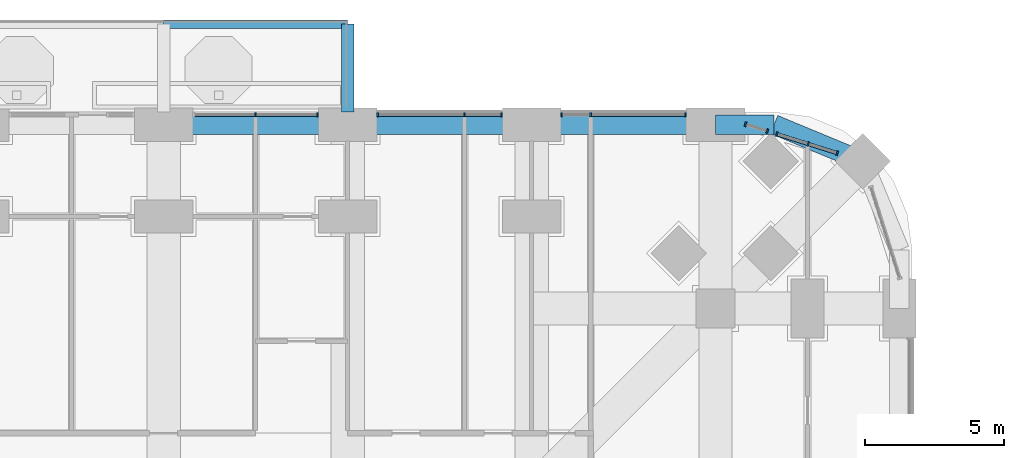
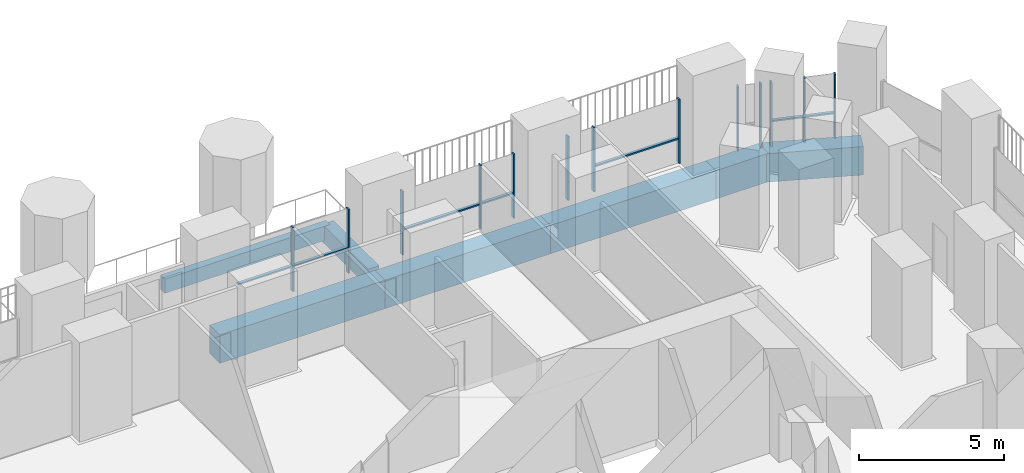
# One storey, part 9 of 26: 20 members, 7 beams, 5 elements without a shape of their own.
"""IFC4 building model written with IfcOpenShell, lengths in metres."""

from ifc_helpers import new_model, si_unit, direction, frame, origin, origin_2d, place, context, subcontext, project, spatial, rectangle, extrude, material, material_profile, profile_set, type_object, element, aggregate, save


model = new_model("IFC4")

# Units and contexts
model_context = context("Model", 3, precision=1e-05, world=origin(), true_north=direction((0.0, 1.0)))
body_context = subcontext(model_context, "Body", "Model", "MODEL_VIEW")
ifc_project = project(units=[si_unit("LENGTHUNIT", "METRE"), si_unit("AREAUNIT", "SQUARE_METRE"), si_unit("VOLUMEUNIT", "CUBIC_METRE"), si_unit("PLANEANGLEUNIT", "RADIAN"), si_unit("MASSUNIT", "GRAM", prefix="KILO")], contexts=[model_context])

# Site, building, storey
site_placement = place(None, origin())
site = spatial("IfcSite", under=ifc_project, at=site_placement, CompositionType="ELEMENT")
building_placement = place(site_placement, origin())
building = spatial("IfcBuilding", under=site, at=building_placement, Name="Cobogo Forest Laboratory Tower", CompositionType="ELEMENT")
storey_placement = place(building_placement, frame((0.0, 0.0, 33.89990234375)))
storey = spatial("IfcBuildingStorey", under=building, at=storey_placement, Name="L07", CompositionType="ELEMENT", Elevation=33.89990234375)

# Beams
ifc_material_1 = material(Name="Concrete HA-40 (C40/50)", Category="concrete")
ifc_material_profile_1 = material_profile(ifc_material_1, rectangle(XDim=0.449951171875, YDim=0.75, at=origin_2d()), Name="RC 450x750")
ifc_profile_set_1 = profile_set([ifc_material_profile_1], Name="Concrete HA-40 (C40/50)")
beam_type_1 = type_object("IfcBeamType", Name="Balcony cantilever beam 450x750", PredefinedType="BEAM", material=ifc_profile_set_1)
beam_1_placement = place(storey_placement, frame((33.0, 46.64990234375, -0.625), z_axis=(0.0, 1.0, 0.0), x_axis=(-1.0, 0.0, 0.0)))
element("IfcBeam", 1, at=beam_1_placement, inside=storey, type_object=beam_type_1, Name="CB1 BAL-N1-C3 L07", PredefinedType="BEAM", context=body_context, shape_type="SweptSolid", body=[
    extrude(rectangle(XDim=0.449951171875, YDim=0.75, at=origin_2d()), origin(), (0.0, 0.0, 1.0), 3.150146484375),
])
ifc_material_profile_2 = material_profile(ifc_material_1, rectangle(XDim=0.300048828125, YDim=0.60009765625, at=origin_2d()), Name="RC 300x600")
ifc_profile_set_2 = profile_set([ifc_material_profile_2], Name="Concrete HA-40 (C40/50)")
beam_type_2 = type_object("IfcBeamType", Name="Balcony edge beam 300x600", PredefinedType="BEAM", material=ifc_profile_set_2)
beam_2_placement = place(storey_placement, frame((26.39990234375, 49.800048828125, -0.5498046875), z_axis=(1.0, 0.0, 0.0), x_axis=(0.0, 1.0, 0.0)))
element("IfcBeam", 2, at=beam_2_placement, inside=storey, type_object=beam_type_2, Name="BB1 BAL-N1-T2 L07", PredefinedType="BEAM", context=body_context, shape_type="SweptSolid", body=[
    extrude(rectangle(XDim=0.300048828125, YDim=0.60009765625, at=origin_2d()), origin(), (0.0, 0.0, 1.0), 6.60009765625),
])

# Curtain wall, members
ifc_material_2 = material(Name="Aluminium curtain wall", Category="aluminium")
curtain_wall_type = type_object("IfcCurtainWallType", Name="CW-1 unitised curtain wall, clear glazing, laboratory floors zones A and B", PredefinedType="USERDEFINED", material=ifc_material_2)
curtain_wall_1_placement = place(storey_placement, origin())
curtain_wall_1 = element("IfcCurtainWall", 3, at=curtain_wall_1_placement, inside=storey, type_object=curtain_wall_type, Name="Curtain wall 16 L07", ObjectType="UNITISED CURTAIN WALL", PredefinedType="USERDEFINED")
ifc_material_3 = material(Name="Aluminium mullion", Category="aluminium")
ifc_material_profile_3 = material_profile(ifc_material_3, rectangle(XDim=0.06005859375, YDim=0.159912109375, at=origin_2d()), Name="AL 60x160")
ifc_profile_set_3 = profile_set([ifc_material_profile_3], Name="Aluminium mullion")
member_type_1 = type_object("IfcMemberType", Name="MU-1 aluminium mullion 60x160", PredefinedType="MULLION", material=ifc_profile_set_3)
member_1_placement = place(storey_placement, frame((50.561279296875, 45.1728515625, 0.0), z_axis=(0.0, 0.0, 1.0), x_axis=(-0.953581409645, 0.301135343623, 0.0)))
member_1 = element("IfcMember", 4, at=member_1_placement, type_object=member_type_1, Name="CW-1 mullion 1", PredefinedType="MULLION", context=body_context, shape_type="SweptSolid", body=[
    extrude(rectangle(XDim=0.06005859375, YDim=0.159912109375, at=origin_2d()), origin(), (0.0, 0.0, 1.0), 2.7001953125),
])
member_2_placement = place(storey_placement, frame((49.524169921875, 45.500244140625, 0.0), z_axis=(0.0, 0.0, 1.0), x_axis=(-0.953581409645, 0.301135343623, 0.0)))
member_2 = element("IfcMember", 5, at=member_2_placement, type_object=member_type_1, Name="CW-1 mullion 2", PredefinedType="MULLION", context=body_context, shape_type="SweptSolid", body=[
    extrude(rectangle(XDim=0.06005859375, YDim=0.159912109375, at=origin_2d()), origin(), (0.0, 0.0, 1.0), 2.7001953125),
])
member_3_placement = place(storey_placement, frame((48.403076171875, 45.854248046875, 0.0), z_axis=(0.0, 0.0, 1.0), x_axis=(-0.953581409645, 0.301135343623, 0.0)))
member_3 = element("IfcMember", 6, at=member_3_placement, type_object=member_type_1, Name="CW-1 mullion 3", PredefinedType="MULLION", context=body_context, shape_type="SweptSolid", body=[
    extrude(rectangle(XDim=0.06005859375, YDim=0.159912109375, at=origin_2d()), origin(), (0.0, 0.0, 1.0), 2.7001953125),
])

curtain_wall_2_placement = place(storey_placement, origin())
curtain_wall_2 = element("IfcCurtainWall", 7, at=curtain_wall_2_placement, inside=storey, type_object=curtain_wall_type, Name="Curtain wall 17 L07", ObjectType="UNITISED CURTAIN WALL", PredefinedType="USERDEFINED")
member_4_placement = place(storey_placement, frame((48.05322265625, 45.96484375, 0.0), z_axis=(0.0, 0.0, 1.0), x_axis=(-0.953581504428, 0.301135043481, 0.0)))
member_4 = element("IfcMember", 8, at=member_4_placement, type_object=member_type_1, Name="CW-1 mullion 1", PredefinedType="MULLION", context=body_context, shape_type="SweptSolid", body=[
    extrude(rectangle(XDim=0.06005859375, YDim=0.159912109375, at=origin_2d()), origin(), (0.0, 0.0, 1.0), 2.7001953125),
])
member_5_placement = place(storey_placement, frame((47.278564453125, 46.20947265625, 0.0), z_axis=(0.0, 0.0, 1.0), x_axis=(-0.953581504428, 0.301135043481, 0.0)))
member_5 = element("IfcMember", 9, at=member_5_placement, type_object=member_type_1, Name="CW-1 mullion 2", PredefinedType="MULLION", context=body_context, shape_type="SweptSolid", body=[
    extrude(rectangle(XDim=0.06005859375, YDim=0.159912109375, at=origin_2d()), origin(), (0.0, 0.0, 1.0), 2.7001953125),
])
aggregate(curtain_wall_2, [member_4, member_5])

curtain_wall_3_placement = place(storey_placement, origin())
curtain_wall_3 = element("IfcCurtainWall", 10, at=curtain_wall_3_placement, inside=storey, type_object=curtain_wall_type, Name="Curtain wall 18 L07", ObjectType="UNITISED CURTAIN WALL", PredefinedType="USERDEFINED")
member_6_placement = place(storey_placement, frame((45.1201171875, 46.550048828125, 0.0), z_axis=(0.0, 0.0, 1.0), x_axis=(-1.0, 0.0, 0.0)))
member_6 = element("IfcMember", 11, at=member_6_placement, type_object=member_type_1, Name="CW-1 mullion 1", PredefinedType="MULLION", context=body_context, shape_type="SweptSolid", body=[
    extrude(rectangle(XDim=0.06005859375, YDim=0.159912109375, at=origin_2d()), origin(), (0.0, 0.0, 1.0), 2.7001953125),
])
member_7_placement = place(storey_placement, frame((41.72509765625, 46.550048828125, 0.0), z_axis=(0.0, 0.0, 1.0), x_axis=(-1.0, 0.0, 0.0)))
member_7 = element("IfcMember", 12, at=member_7_placement, type_object=member_type_1, Name="CW-1 mullion 2", PredefinedType="MULLION", context=body_context, shape_type="SweptSolid", body=[
    extrude(rectangle(XDim=0.06005859375, YDim=0.159912109375, at=origin_2d()), origin(), (0.0, 0.0, 1.0), 2.7001953125),
])
member_8_placement = place(storey_placement, frame((40.679931640625, 46.550048828125, 0.0), z_axis=(0.0, 0.0, 1.0), x_axis=(-1.0, 0.0, 0.0)))
member_8 = element("IfcMember", 13, at=member_8_placement, type_object=member_type_1, Name="CW-1 mullion 3", PredefinedType="MULLION", context=body_context, shape_type="SweptSolid", body=[
    extrude(rectangle(XDim=0.06005859375, YDim=0.159912109375, at=origin_2d()), origin(), (0.0, 0.0, 1.0), 2.7001953125),
])

curtain_wall_4_placement = place(storey_placement, origin())
curtain_wall_4 = element("IfcCurtainWall", 14, at=curtain_wall_4_placement, inside=storey, type_object=curtain_wall_type, Name="Curtain wall 19 L07", ObjectType="UNITISED CURTAIN WALL", PredefinedType="USERDEFINED")
member_9_placement = place(storey_placement, frame((38.52001953125, 46.550048828125, 0.0), z_axis=(0.0, 0.0, 1.0), x_axis=(-1.0, 0.0, 0.0)))
member_9 = element("IfcMember", 15, at=member_9_placement, type_object=member_type_1, Name="CW-1 mullion 1", PredefinedType="MULLION", context=body_context, shape_type="SweptSolid", body=[
    extrude(rectangle(XDim=0.06005859375, YDim=0.159912109375, at=origin_2d()), origin(), (0.0, 0.0, 1.0), 2.7001953125),
])
member_10_placement = place(storey_placement, frame((37.199951171875, 46.550048828125, 0.0), z_axis=(0.0, 0.0, 1.0), x_axis=(-1.0, 0.0, 0.0)))
member_10 = element("IfcMember", 16, at=member_10_placement, type_object=member_type_1, Name="CW-1 mullion 2", PredefinedType="MULLION", context=body_context, shape_type="SweptSolid", body=[
    extrude(rectangle(XDim=0.06005859375, YDim=0.159912109375, at=origin_2d()), origin(), (0.0, 0.0, 1.0), 2.7001953125),
])
member_11_placement = place(storey_placement, frame((34.080078125, 46.550048828125, 0.0), z_axis=(0.0, 0.0, 1.0), x_axis=(-1.0, 0.0, 0.0)))
member_11 = element("IfcMember", 17, at=member_11_placement, type_object=member_type_1, Name="CW-1 mullion 3", PredefinedType="MULLION", context=body_context, shape_type="SweptSolid", body=[
    extrude(rectangle(XDim=0.06005859375, YDim=0.159912109375, at=origin_2d()), origin(), (0.0, 0.0, 1.0), 2.7001953125),
])

curtain_wall_5_placement = place(storey_placement, origin())
curtain_wall_5 = element("IfcCurtainWall", 18, at=curtain_wall_5_placement, inside=storey, type_object=curtain_wall_type, Name="Curtain wall 20 L07", ObjectType="UNITISED CURTAIN WALL", PredefinedType="USERDEFINED")
member_12_placement = place(storey_placement, frame((31.919921875, 46.550048828125, 0.0), z_axis=(0.0, 0.0, 1.0), x_axis=(-1.0, 0.0, 0.0)))
member_12 = element("IfcMember", 19, at=member_12_placement, type_object=member_type_1, Name="CW-1 mullion 1", PredefinedType="MULLION", context=body_context, shape_type="SweptSolid", body=[
    extrude(rectangle(XDim=0.06005859375, YDim=0.159912109375, at=origin_2d()), origin(), (0.0, 0.0, 1.0), 2.7001953125),
])
member_13_placement = place(storey_placement, frame((29.699951171875, 46.550048828125, 0.0), z_axis=(0.0, 0.0, 1.0), x_axis=(-1.0, 0.0, 0.0)))
member_13 = element("IfcMember", 20, at=member_13_placement, type_object=member_type_1, Name="CW-1 mullion 2", PredefinedType="MULLION", context=body_context, shape_type="SweptSolid", body=[
    extrude(rectangle(XDim=0.06005859375, YDim=0.159912109375, at=origin_2d()), origin(), (0.0, 0.0, 1.0), 2.7001953125),
])

# Beams
ifc_material_profile_4 = material_profile(ifc_material_1, rectangle(XDim=0.699951171875, YDim=1.199951171875, at=origin_2d()), Name="RC 700x1200")
ifc_profile_set_4 = profile_set([ifc_material_profile_4], Name="Concrete HA-40 (C40/50)")
beam_type_3 = type_object("IfcBeamType", Name="Perimeter edge beam 700x1200", PredefinedType="BEAM", material=ifc_profile_set_4)
for number, where, z_axis, x_axis, name in (
    (21, (26.39990234375, 46.199951171875, -0.89990234375), (1.0, 0.0, 0.0), (0.0, 1.0, 0.0), "EB1 E-N4 L07"),
    (22, (33.0, 46.199951171875, -0.89990234375), (1.0, 0.0, 0.0), (0.0, 1.0, 0.0), "EB1 E-N5 L07"),
):
    element("IfcBeam", number, at=place(storey_placement, frame(where, z_axis=z_axis, x_axis=x_axis)), inside=storey, type_object=beam_type_3, Name=name, PredefinedType="BEAM", context=body_context, shape_type="SweptSolid", body=[
        extrude(rectangle(XDim=0.699951171875, YDim=1.199951171875, at=origin_2d()), origin(), (0.0, 0.0, 1.0), 6.60009765625),
    ])
beam_3_placement = place(storey_placement, frame((39.60009765625, 46.199951171875, -0.89990234375), z_axis=(1.0, 0.0, 0.0), x_axis=(0.0, 1.0, 0.0)))
element("IfcBeam", 23, at=beam_3_placement, inside=storey, type_object=beam_type_3, Name="EB1 E-N6 L07", PredefinedType="BEAM", context=body_context, shape_type="SweptSolid", body=[
    extrude(rectangle(XDim=0.699951171875, YDim=1.199951171875, at=origin_2d()), origin(), (0.0, 0.0, 1.0), 6.599853515625),
])
beam_4_placement = place(storey_placement, frame((46.199951171875, 46.199951171875, -0.89990234375), z_axis=(1.0, 0.0, 0.0), x_axis=(0.0, 1.0, 0.0)))
element("IfcBeam", 24, at=beam_4_placement, inside=storey, type_object=beam_type_3, Name="EB1 E-NEN1 L07", PredefinedType="BEAM", context=body_context, shape_type="SweptSolid", body=[
    extrude(rectangle(XDim=0.699951171875, YDim=1.199951171875, at=origin_2d()), origin(), (0.0, 0.0, 1.0), 2.10009765625),
])
beam_5_placement = place(storey_placement, frame((48.300048828125, 46.199951171875, -0.89990234375), z_axis=(0.923890694089, -0.382656484822, 0.0), x_axis=(0.382656484822, 0.923890694089, 0.0)))
element("IfcBeam", 25, at=beam_5_placement, inside=storey, type_object=beam_type_3, Name="EB1 E-NEN2 L07", PredefinedType="BEAM", context=body_context, shape_type="SweptSolid", body=[
    extrude(rectangle(XDim=0.699951171875, YDim=1.199951171875, at=origin_2d()), origin(), (0.0, 0.0, 1.0), 3.444091796875),
])

# Member
ifc_material_4 = material(Name="Aluminium transom", Category="aluminium")
ifc_material_profile_5 = material_profile(ifc_material_4, rectangle(XDim=0.1201171875, YDim=0.06005859375, at=origin_2d()), Name="AL 60x120")
ifc_profile_set_5 = profile_set([ifc_material_profile_5], Name="Aluminium transom")
member_type_2 = type_object("IfcMemberType", Name="TR-1 aluminium transom 60x120", PredefinedType="USERDEFINED", material=ifc_profile_set_5)
member_14_placement = place(storey_placement, frame((50.53271484375, 45.181884765625, 1.050048828125), z_axis=(-0.953622152866, 0.301006294888, 0.0), x_axis=(-0.301006294888, -0.953622152866, 0.0)))
member_14 = element("IfcMember", 26, at=member_14_placement, type_object=member_type_2, Name="CW-1 transom 1.1", ObjectType="TRANSOM", PredefinedType="USERDEFINED", context=body_context, shape_type="SweptSolid", body=[
    extrude(rectangle(XDim=0.1201171875, YDim=0.06005859375, at=origin_2d()), origin(), (0.0, 0.0, 1.0), 1.027587890625),
])

member_15_placement = place(storey_placement, frame((49.495361328125, 45.50927734375, 1.050048828125), z_axis=(-0.953576049467, 0.301152316747, 0.0), x_axis=(-0.301152316747, -0.953576049467, 0.0)))
member_15 = element("IfcMember", 27, at=member_15_placement, type_object=member_type_2, Name="CW-1 transom 2.1", ObjectType="TRANSOM", PredefinedType="USERDEFINED", context=body_context, shape_type="SweptSolid", body=[
    extrude(rectangle(XDim=0.1201171875, YDim=0.06005859375, at=origin_2d()), origin(), (0.0, 0.0, 1.0), 1.115478515625),
])

aggregate(curtain_wall_1, [member_1, member_2, member_3, member_14, member_15])

member_16_placement = place(storey_placement, frame((45.090087890625, 46.550048828125, 1.050048828125), z_axis=(-1.0, 0.0, 0.0), x_axis=(0.0, -1.0, 0.0)))
member_16 = element("IfcMember", 28, at=member_16_placement, type_object=member_type_2, Name="CW-1 transom 1.1", ObjectType="TRANSOM", PredefinedType="USERDEFINED", context=body_context, shape_type="SweptSolid", body=[
    extrude(rectangle(XDim=0.1201171875, YDim=0.06005859375, at=origin_2d()), origin(), (0.0, 0.0, 1.0), 3.335205078125),
])

aggregate(curtain_wall_3, [member_6, member_7, member_8, member_16])

member_17_placement = place(storey_placement, frame((38.489990234375, 46.550048828125, 1.050048828125), z_axis=(-1.0, 0.0, 0.0), x_axis=(0.0, -1.0, 0.0)))
member_17 = element("IfcMember", 29, at=member_17_placement, type_object=member_type_2, Name="CW-1 transom 1.1", ObjectType="TRANSOM", PredefinedType="USERDEFINED", context=body_context, shape_type="SweptSolid", body=[
    extrude(rectangle(XDim=0.1201171875, YDim=0.06005859375, at=origin_2d()), origin(), (0.0, 0.0, 1.0), 1.260009765625),
])

member_18_placement = place(storey_placement, frame((37.169921875, 46.550048828125, 1.050048828125), z_axis=(-1.0, 0.0, 0.0), x_axis=(0.0, -1.0, 0.0)))
member_18 = element("IfcMember", 30, at=member_18_placement, type_object=member_type_2, Name="CW-1 transom 2.1", ObjectType="TRANSOM", PredefinedType="USERDEFINED", context=body_context, shape_type="SweptSolid", body=[
    extrude(rectangle(XDim=0.1201171875, YDim=0.06005859375, at=origin_2d()), origin(), (0.0, 0.0, 1.0), 3.059814453125),
])

aggregate(curtain_wall_4, [member_9, member_10, member_11, member_17, member_18])

member_19_placement = place(storey_placement, frame((31.889892578125, 46.550048828125, 1.050048828125), z_axis=(-1.0, 0.0, 0.0), x_axis=(0.0, -1.0, 0.0)))
member_19 = element("IfcMember", 31, at=member_19_placement, type_object=member_type_2, Name="CW-1 transom 1.1", ObjectType="TRANSOM", PredefinedType="USERDEFINED", context=body_context, shape_type="SweptSolid", body=[
    extrude(rectangle(XDim=0.1201171875, YDim=0.06005859375, at=origin_2d()), origin(), (0.0, 0.0, 1.0), 2.159912109375),
])

member_20_placement = place(storey_placement, frame((29.669921875, 46.550048828125, 1.050048828125), z_axis=(-1.0, 0.0, 0.0), x_axis=(0.0, -1.0, 0.0)))
member_20 = element("IfcMember", 32, at=member_20_placement, type_object=member_type_2, Name="CW-1 transom 2.1", ObjectType="TRANSOM", PredefinedType="USERDEFINED", context=body_context, shape_type="SweptSolid", body=[
    extrude(rectangle(XDim=0.1201171875, YDim=0.06005859375, at=origin_2d()), origin(), (0.0, 0.0, 1.0), 2.159912109375),
])

aggregate(curtain_wall_5, [member_12, member_13, member_19, member_20])

save(model, "model.ifc")
